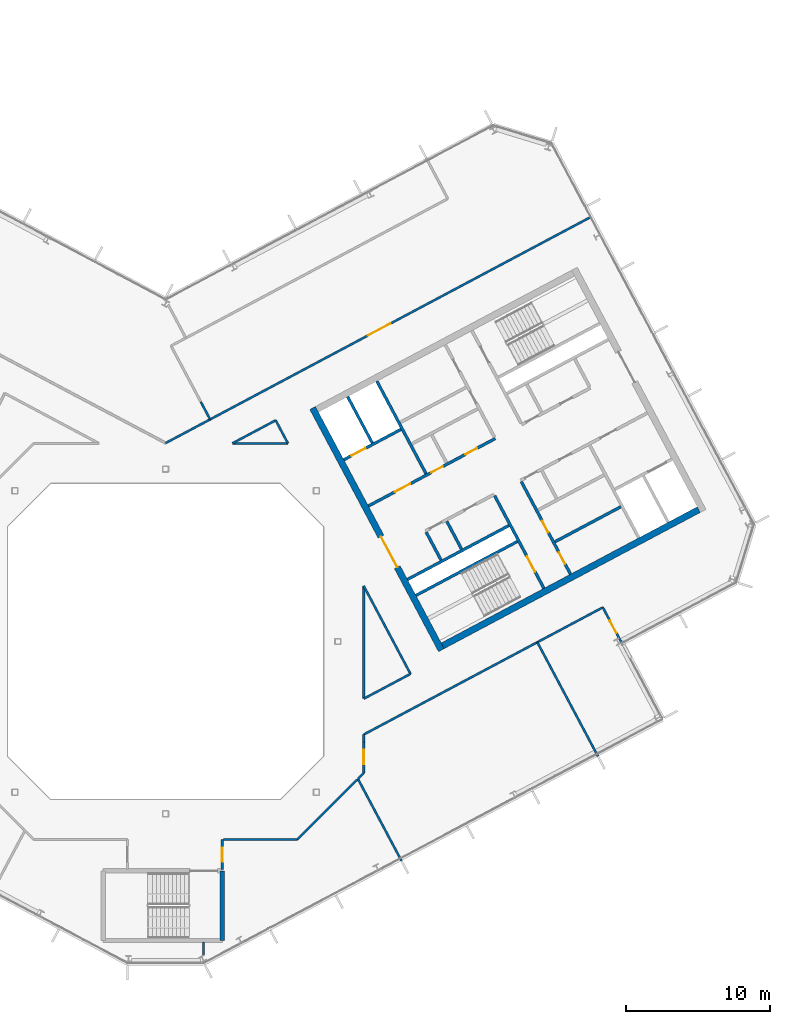
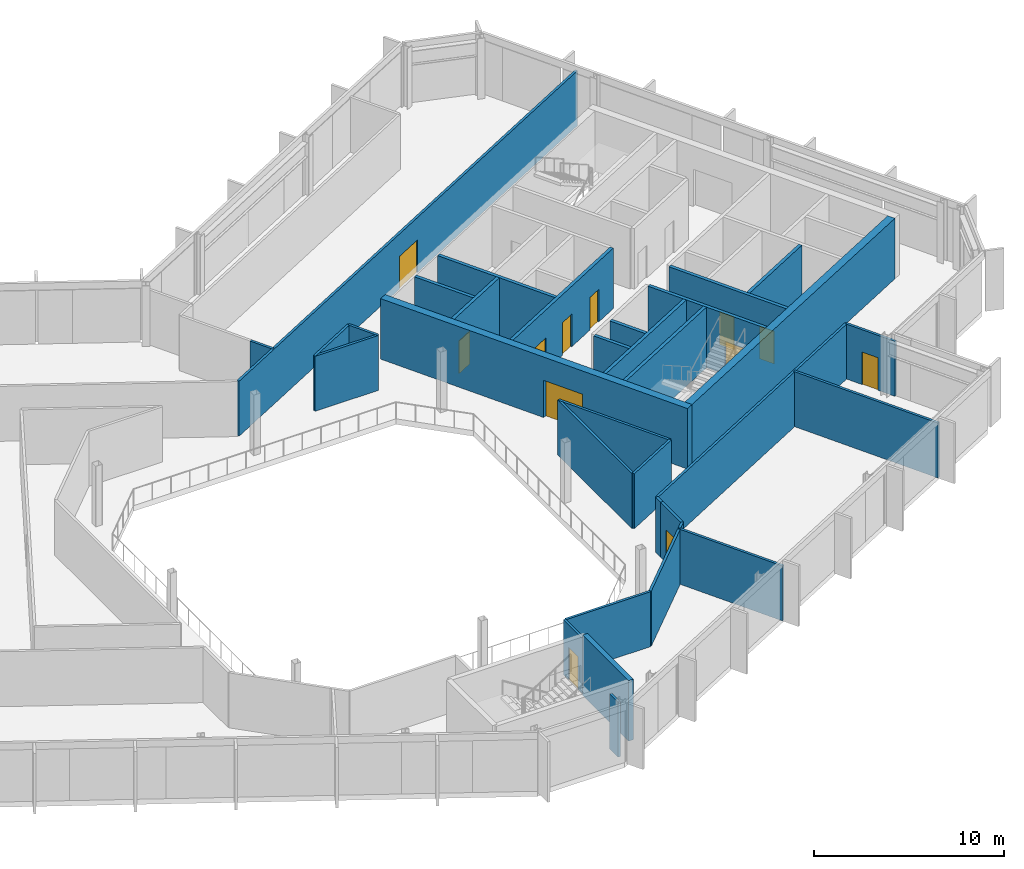
# One storey, part 15 of 25: 33 walls, 12 doors, 12 openings.
"""IFC4 building model written with IfcOpenShell, lengths in metres."""

import ifcopenshell
import ifcopenshell.guid

model = None  # the IFC model being written
_history = None  # IfcOwnerHistory: only IFC2X3 demands one
_inside = {}  # id of a spatial element -> (the spatial element, [elements in it])
_under = {}  # id of a project, library or spatial element -> (it, [spatial elements below it])
_declared = {}  # id of a project -> (the project, [libraries it declares])
_typed = {}  # id of a type object -> (the type object, [elements of that type])
_made_of = {}  # id of a material, layer set ... -> (it, [elements and type objects made of it])


def new_model(schema):
    """Start an empty IFC model of exactly this schema.

    Asked for "IFC4X3", IfcOpenShell would pick the latest addendum, in which some entities
    have other attributes; the version numbers below select the first issue.
    IFC2X3 requires an IfcOwnerHistory on every rooted entity: one is made here for all.
    """
    global model, _history
    if schema == "IFC4X3":
        model = ifcopenshell.file(schema_version=(4, 3, 0, 0))
    else:
        model = ifcopenshell.file(schema=schema)
    _inside.clear()
    _under.clear()
    _declared.clear()
    _typed.clear()
    _made_of.clear()
    _history = None
    if model.schema == "IFC2X3":
        org = make("IfcOrganization", Name="unknown")
        user = make(
            "IfcPersonAndOrganization",
            ThePerson=make("IfcPerson", FamilyName="unknown"),
            TheOrganization=org,
        )
        app = make(
            "IfcApplication",
            ApplicationDeveloper=org,
            Version="unknown",
            ApplicationFullName="unknown",
            ApplicationIdentifier="unknown",
        )
        _history = make(
            "IfcOwnerHistory",
            OwningUser=user,
            OwningApplication=app,
            ChangeAction="ADDED",
            CreationDate=0,
        )
    return model


def make(cls, **values):
    """One entity of the class cls with the attributes given. An attribute that is None is left unset."""
    return model.create_entity(
        cls, **{name: value for name, value in values.items() if value is not None}
    )


def rooted(cls, **values):
    """An entity with a GlobalId (a new one), such as an element, a storey or a relation."""
    return make(cls, GlobalId=ifcopenshell.guid.new(), OwnerHistory=_history, **values)


def si_unit(unit_type, name, prefix=None):
    """IfcSIUnit, for example si_unit("LENGTHUNIT", "METRE", prefix="MILLI")."""
    return make("IfcSIUnit", UnitType=unit_type, Prefix=prefix, Name=name)


def assignment(units):
    """IfcUnitAssignment: the units of a project."""
    return None if units is None else make("IfcUnitAssignment", Units=units)


def point(xyz):
    """IfcCartesianPoint."""
    return None if xyz is None else make("IfcCartesianPoint", Coordinates=xyz)


def direction(xyz):
    """IfcDirection."""
    return None if xyz is None else make("IfcDirection", DirectionRatios=xyz)


def frame(location, z_axis=None, x_axis=None):
    """IfcAxis2Placement3D, a coordinate frame: its origin and axes. An axis left out is left unset."""
    return make(
        "IfcAxis2Placement3D",
        Location=point(location),
        Axis=direction(z_axis),
        RefDirection=direction(x_axis),
    )


def frame_2d(location, x_axis=None):
    """IfcAxis2Placement2D, a coordinate frame in the plane: its origin and x axis."""
    return make(
        "IfcAxis2Placement2D", Location=point(location), RefDirection=direction(x_axis)
    )


def origin():
    """The frame at (0, 0, 0) with its axes left unset."""
    return frame((0.0, 0.0, 0.0))


def place(relative_to, where):
    """IfcLocalPlacement: puts the frame where relative to a parent placement (None: the world)."""
    return make(
        "IfcLocalPlacement", PlacementRelTo=relative_to, RelativePlacement=where
    )


def context(
    kind, dimensions, precision=None, world=None, true_north=None, identifier=None
):
    """IfcGeometricRepresentationContext, for example the 3D "Model" context."""
    return make(
        "IfcGeometricRepresentationContext",
        ContextIdentifier=identifier,
        ContextType=kind,
        CoordinateSpaceDimension=dimensions,
        Precision=precision,
        WorldCoordinateSystem=world,
        TrueNorth=true_north,
    )


def subcontext(parent, identifier, kind, view, scale=None):
    """IfcGeometricRepresentationSubContext, for example "Body" below "Model"."""
    return make(
        "IfcGeometricRepresentationSubContext",
        ContextIdentifier=identifier,
        ContextType=kind,
        ParentContext=parent,
        TargetScale=scale,
        TargetView=view,
    )


def project(units=None, contexts=None):
    """IfcProject with its units and contexts."""
    return rooted(
        "IfcProject",
        Name="project",
        RepresentationContexts=contexts,
        UnitsInContext=assignment(units),
    )


def spatial(cls, under=None, at=None, **own):
    """A site, building, storey or space (cls), placed at a placement, below another one or the project."""
    s = rooted(cls, ObjectPlacement=at, **own)
    if under is not None:
        _under.setdefault(under.id(), (under, []))[1].append(s)
    return s


def profile(cls, at=None, kind="AREA", **sizes):
    """A parametric profile (cls). Its sizes go by their IFC names, for example OverallWidth=200.0."""
    return make(cls, ProfileType=kind, Position=at, **sizes)


def rectangle(**sizes):
    """IfcRectangleProfileDef."""
    return profile("IfcRectangleProfileDef", **sizes)


def extrude(swept, where, along, depth):
    """IfcExtrudedAreaSolid: the profile swept, set in the frame where, extruded along a direction by depth."""
    return make(
        "IfcExtrudedAreaSolid",
        SweptArea=swept,
        Position=where,
        ExtrudedDirection=direction(along),
        Depth=depth,
    )


def shape(context_of_items, identifier, shape_type, items):
    """IfcShapeRepresentation: the items that make up one representation, for example the "Body"."""
    return make(
        "IfcShapeRepresentation",
        ContextOfItems=context_of_items,
        RepresentationIdentifier=identifier,
        RepresentationType=shape_type,
        Items=items,
    )


def material(Name=None, Category=None):
    """IfcMaterial."""
    return make("IfcMaterial", Name=Name, Category=Category)


def layer(
    of_material, thickness, ventilated=None, Name=None, Category=None, Priority=None
):
    """IfcMaterialLayer: one layer of a wall or slab, of a material (None: an air gap)."""
    return make(
        "IfcMaterialLayer",
        Material=of_material,
        LayerThickness=thickness,
        IsVentilated=ventilated,
        Name=Name,
        Category=Category,
        Priority=Priority,
    )


def layer_set(layers, Name=None):
    """IfcMaterialLayerSet."""
    return make("IfcMaterialLayerSet", MaterialLayers=layers, LayerSetName=Name)


def made_of(thing, what):
    """Note that an element or type object is made of a material, layer set ...; save() writes the relation."""
    if what is not None:
        _made_of.setdefault(what.id(), (what, []))[1].append(thing)
    return thing


def type_object(cls, material=None, **own):
    """A type object (cls), such as IfcWallType, which elements share."""
    return made_of(rooted(cls, **own), material)


def element(
    cls,
    number,
    at=None,
    inside=None,
    cuts=None,
    type_object=None,
    material=None,
    context=None,
    identifier="Body",
    shape_type=None,
    held_by="IfcProductDefinitionShape",
    body=None,
    shapes=None,
    **own,
):
    """One element of the class cls, such as IfcWall. Its Tag is "e" and its number.

    at: its placement. inside: the storey or other place that contains it. cuts: it is an
    opening in that element (IfcRelVoidsElement). A single representation is given by context,
    identifier, shape_type and body (its items); several are given by shapes. held_by: the class
    of the entity that holds the representations. save() writes the other relations.
    """
    e = rooted(cls, Tag="e%d" % number, ObjectPlacement=at, **own)
    if body is not None:
        shapes = [shape(context, identifier, shape_type, body)]
    if shapes is not None:
        e.Representation = make(held_by, Representations=shapes)
    if inside is not None:
        _inside.setdefault(inside.id(), (inside, []))[1].append(e)
    if cuts is not None:
        rooted(
            "IfcRelVoidsElement", RelatingBuildingElement=cuts, RelatedOpeningElement=e
        )
    if type_object is not None:
        _typed.setdefault(type_object.id(), (type_object, []))[1].append(e)
    return made_of(e, material)


def fill(opening, filler):
    """IfcRelFillsElement: the door or window that sits in an opening."""
    return rooted(
        "IfcRelFillsElement",
        RelatingOpeningElement=opening,
        RelatedBuildingElement=filler,
    )


def aggregate(whole, parts):
    """IfcRelAggregates: a whole, such as a stair, and the parts it consists of."""
    return rooted("IfcRelAggregates", RelatingObject=whole, RelatedObjects=parts)


def save(model, path):
    """Write the relations noted so far, then the file.

    IfcRelAggregates (storeys below a building ...), IfcRelContainedInSpatialStructure (elements
    in a storey), IfcRelDefinesByType, IfcRelAssociatesMaterial and IfcRelDeclares: one each for
    every whole, place, type object, material and project.
    """
    for whole, parts in _under.values():
        aggregate(whole, parts)
    for where, things in _inside.values():
        rooted(
            "IfcRelContainedInSpatialStructure",
            RelatedElements=things,
            RelatingStructure=where,
        )
    for kind, things in _typed.values():
        rooted("IfcRelDefinesByType", RelatedObjects=things, RelatingType=kind)
    for what, things in _made_of.values():
        rooted("IfcRelAssociatesMaterial", RelatedObjects=things, RelatingMaterial=what)
    for by, libraries in _declared.values():
        rooted("IfcRelDeclares", RelatingContext=by, RelatedDefinitions=libraries)
    model.write(path)


model = new_model("IFC4")

# Units and contexts
model_context = context("Model", 3, precision=1e-05, world=origin(), true_north=direction((0.0, 1.0)))
body_context = subcontext(model_context, "Body", "Model", "MODEL_VIEW")
ifc_project = project(units=[si_unit("LENGTHUNIT", "METRE"), si_unit("AREAUNIT", "SQUARE_METRE"), si_unit("VOLUMEUNIT", "CUBIC_METRE"), si_unit("PLANEANGLEUNIT", "RADIAN"), si_unit("MASSUNIT", "GRAM", prefix="KILO")], contexts=[model_context])

# Site, building, storey
site_placement = place(None, origin())
site = spatial("IfcSite", under=ifc_project, at=site_placement, CompositionType="ELEMENT")
building_placement = place(site_placement, origin())
building = spatial("IfcBuilding", under=site, at=building_placement, Name="Cormorant Relay Tower", CompositionType="ELEMENT")
storey_placement = place(building_placement, frame((0.0, 0.0, 281.39990234375)))
storey = spatial("IfcBuildingStorey", under=building, at=storey_placement, Name="L63", CompositionType="ELEMENT", Elevation=281.39990234375)

# Walls
ifc_material_1 = material(Name="Concrete 40 MPa", Category="concrete")
ifc_layer_1 = layer(ifc_material_1, 0.199951171875)
ifc_layer_set_1 = layer_set([ifc_layer_1], Name="Core internal wall 200")
wall_type_1 = type_object("IfcWallType", Name="Core internal wall 200", PredefinedType="SOLIDWALL", material=ifc_layer_set_1)
wall_1_placement = place(storey_placement, frame((20.614013671875, 6.430419921875, 0.0), z_axis=(0.0, 0.0, 1.0), x_axis=(-0.4694473164, 0.882960484464, 0.0)))
element("IfcWall", 1, at=wall_1_placement, inside=storey, type_object=wall_type_1, Name="L63 core B shaft and room wall", PredefinedType="SOLIDWALL", context=body_context, shape_type="SweptSolid", body=[
    extrude(rectangle(XDim=2.199951171875, YDim=0.199951171875, at=frame_2d((1.10009765625, 0.0))), origin(), (0.0, 0.0, 1.0), 3.900146484375),
])
wall_2_placement = place(storey_placement, frame((27.11474609375, 6.942138671875, 0.0), z_axis=(0.0, 0.0, 1.0), x_axis=(0.882934506056, 0.469496174655, 0.0)))
element("IfcWall", 2, at=wall_2_placement, inside=storey, type_object=wall_type_1, Name="L63 core B shaft and room wall", PredefinedType="SOLIDWALL", context=body_context, shape_type="SweptSolid", body=[
    extrude(rectangle(XDim=5.199951171875, YDim=0.199951171875, at=frame_2d((2.60009765625, 0.0))), origin(), (0.0, 0.0, 1.0), 3.900146484375),
])
ifc_material_2 = material(Name="Concrete 50 MPa", Category="concrete")
ifc_layer_2 = layer(ifc_material_2, 0.199951171875)
ifc_layer_set_2 = layer_set([ifc_layer_2], Name="Core shaft wall 200")
wall_type_2 = type_object("IfcWallType", Name="Core shaft wall 200", PredefinedType="SHEAR", material=ifc_layer_set_2)
wall_3_placement = place(storey_placement, frame((14.39404296875, 13.825927734375, 0.0), z_axis=(0.0, 0.0, 1.0), x_axis=(-0.469494272526, 0.882935517501, 0.0)))
element("IfcWall", 3, at=wall_3_placement, inside=storey, type_object=wall_type_2, Name="L63 core B shaft wall", PredefinedType="SHEAR", context=body_context, shape_type="SweptSolid", body=[
    extrude(rectangle(XDim=3.64990234375, YDim=0.199951171875, at=frame_2d((1.824951171875, 0.0))), origin(), (0.0, 0.0, 1.0), 3.900146484375),
])
wall_4_placement = place(storey_placement, frame((19.18359375, 5.669921875, 0.0), z_axis=(0.0, 0.0, 1.0), x_axis=(-0.4694473164, 0.882960484464, 0.0)))
element("IfcWall", 4, at=wall_4_placement, inside=storey, type_object=wall_type_2, Name="L63 core B shaft wall", PredefinedType="SHEAR", context=body_context, shape_type="SweptSolid", body=[
    extrude(rectangle(XDim=2.199951171875, YDim=0.199951171875, at=frame_2d((1.10009765625, 0.0))), origin(), (0.0, 0.0, 1.0), 3.900146484375),
])
wall_5_placement = place(storey_placement, frame((18.138427734375, 11.682861328125, 0.0), z_axis=(0.0, 0.0, 1.0), x_axis=(-0.469480409012, 0.88294288918, 0.0)))
element("IfcWall", 5, at=wall_5_placement, inside=storey, type_object=wall_type_2, Name="L63 core B shaft wall", PredefinedType="SHEAR", context=body_context, shape_type="SweptSolid", body=[
    extrude(rectangle(XDim=7.300048828125, YDim=0.199951171875, at=frame_2d((3.64990234375, 0.0))), origin(), (0.0, 0.0, 1.0), 3.900146484375),
])

# Wall, opening, door
wall_6_placement = place(storey_placement, frame((26.345947265625, 3.701904296875, 0.0), z_axis=(0.0, 0.0, 1.0), x_axis=(-0.469480409012, 0.88294288918, 0.0)))
wall_6 = element("IfcWall", 6, at=wall_6_placement, inside=storey, type_object=wall_type_2, Name="L63 core B shaft wall", PredefinedType="SHEAR", context=body_context, shape_type="SweptSolid", body=[
    extrude(rectangle(XDim=7.300048828125, YDim=0.199951171875, at=frame_2d((3.64990234375, 0.0))), origin(), (0.0, 0.0, 1.0), 3.900146484375),
])
opening_1_placement = place(wall_6_placement, frame((1.300048828125, 0.0, 0.0)))
opening_1 = element("IfcOpeningElement", 7, at=opening_1_placement, cuts=wall_6, Name="Opening CDB-040", PredefinedType="OPENING", context=body_context, shape_type="SweptSolid", body=[
    extrude(rectangle(XDim=1.199951171875, YDim=2.10009765625, at=frame_2d((0.60009765625, 1.050048828125))), frame((0.0, 0.10986328125, 0.0), z_axis=(0.0, -1.0, 0.0), x_axis=(1.0, 0.0, 0.0)), (0.0, 0.0, 1.0), 0.219970703125),
])
ifc_material_3 = material(Name="Steel fire door", Category="steel")
door_type_1 = type_object("IfcDoorType", Name="Core stair door 1200x2100", OperationType="SINGLE_SWING_LEFT", PredefinedType="DOOR", material=ifc_material_3)
door_1_placement = place(opening_1_placement, origin())
door_1 = element("IfcDoor", 8, at=door_1_placement, inside=storey, type_object=door_type_1, Name="Core stair door 1200x2100", OperationType="SINGLE_SWING_RIGHT", OverallHeight=2.10009765625, OverallWidth=1.199951171875, PredefinedType="DOOR", context=body_context, shape_type="SweptSolid", body=[
    extrude(rectangle(XDim=1.199951171875, YDim=2.10009765625, at=frame_2d((0.60009765625, 1.050048828125))), frame((0.0, 0.02490234375, 0.0), z_axis=(0.0, -1.0, 0.0), x_axis=(1.0, 0.0, 0.0)), (0.0, 0.0, 1.0), 0.050048828125),
])
fill(opening_1, door_1)

# Wall, openings, doors
wall_7_placement = place(storey_placement, frame((28.199951171875, 4.687744140625, 0.0), z_axis=(0.0, 0.0, 1.0), x_axis=(-0.469454336211, 0.882956752176, 0.0)))
wall_7 = element("IfcWall", 9, at=wall_7_placement, inside=storey, type_object=wall_type_2, Name="L63 core B shaft wall", PredefinedType="SHEAR", context=body_context, shape_type="SweptSolid", body=[
    extrude(rectangle(XDim=7.300048828125, YDim=0.199951171875, at=frame_2d((3.64990234375, 0.0))), origin(), (0.0, 0.0, 1.0), 3.900146484375),
])
opening_2_placement = place(wall_7_placement, frame((0.800048828125, 0.0, 0.0)))
opening_2 = element("IfcOpeningElement", 10, at=opening_2_placement, cuts=wall_7, Name="Opening CDD-286", PredefinedType="OPENING", context=body_context, shape_type="SweptSolid", body=[
    extrude(rectangle(XDim=0.89990234375, YDim=2.10009765625, at=frame_2d((0.449951171875, 1.050048828125))), frame((0.0, 0.10986328125, 0.0), z_axis=(0.0, -1.0, 0.0), x_axis=(1.0, 0.0, 0.0)), (0.0, 0.0, 1.0), 0.219970703125),
])
opening_3_placement = place(wall_7_placement, frame((3.300048828125, 0.0, 0.0)))
opening_3 = element("IfcOpeningElement", 11, at=opening_3_placement, cuts=wall_7, Name="Opening CDD-287", PredefinedType="OPENING", context=body_context, shape_type="SweptSolid", body=[
    extrude(rectangle(XDim=0.89990234375, YDim=2.10009765625, at=frame_2d((0.449951171875, 1.050048828125))), frame((0.0, 0.10986328125, 0.0), z_axis=(0.0, -1.0, 0.0), x_axis=(1.0, 0.0, 0.0)), (0.0, 0.0, 1.0), 0.219970703125),
])
ifc_material_4 = material(Name="Steel fire door", Category="steel")
door_type_2 = type_object("IfcDoorType", Name="Core room door 900x2100", OperationType="SINGLE_SWING_LEFT", PredefinedType="DOOR", material=ifc_material_4)
door_2_placement = place(opening_2_placement, frame((0.89990234375, 0.0, 0.0), z_axis=(0.0, 0.0, 1.0), x_axis=(-1.0, 0.0, 0.0)))
door_2 = element("IfcDoor", 12, at=door_2_placement, inside=storey, type_object=door_type_2, Name="Core room door 900x2100", OperationType="SINGLE_SWING_LEFT", OverallHeight=2.10009765625, OverallWidth=0.89990234375, PredefinedType="DOOR", context=body_context, shape_type="SweptSolid", body=[
    extrude(rectangle(XDim=0.89990234375, YDim=2.10009765625, at=frame_2d((0.449951171875, 1.050048828125))), frame((0.0, 0.02490234375, 0.0), z_axis=(0.0, -1.0, 0.0), x_axis=(1.0, 0.0, 0.0)), (0.0, 0.0, 1.0), 0.050048828125),
])
fill(opening_2, door_2)
door_3_placement = place(opening_3_placement, frame((0.89990234375, 0.0, 0.0), z_axis=(0.0, 0.0, 1.0), x_axis=(-1.0, 0.0, 0.0)))
door_3 = element("IfcDoor", 13, at=door_3_placement, inside=storey, type_object=door_type_2, Name="Core room door 900x2100", OperationType="SINGLE_SWING_LEFT", OverallHeight=2.10009765625, OverallWidth=0.89990234375, PredefinedType="DOOR", context=body_context, shape_type="SweptSolid", body=[
    extrude(rectangle(XDim=0.89990234375, YDim=2.10009765625, at=frame_2d((0.449951171875, 1.050048828125))), frame((0.0, 0.02490234375, 0.0), z_axis=(0.0, -1.0, 0.0), x_axis=(1.0, 0.0, 0.0)), (0.0, 0.0, 1.0), 0.050048828125),
])
fill(opening_3, door_3)

# Walls
for number, where, z_axis, x_axis, name in (
    (14, (17.43359375, 3.210205078125, 0.0), (0.0, 0.0, 1.0), (0.882940221191, 0.469485426614, 0.0), "L63 core B shaft wall"),
    (15, (16.8466796875, 4.31396484375, 0.0), (0.0, 0.0, 1.0), (0.882940221191, 0.469485426614, 0.0), "L63 core B shaft wall"),
):
    element("IfcWall", number, at=place(storey_placement, frame(where, z_axis=z_axis, x_axis=x_axis)), inside=storey, type_object=wall_type_2, Name=name, PredefinedType="SHEAR", context=body_context, shape_type="SweptSolid", body=[
        extrude(rectangle(XDim=8.0, YDim=0.199951171875, at=frame_2d((4.0, 0.0))), origin(), (0.0, 0.0, 1.0), 3.900146484375),
    ])

# Wall, openings, doors
wall_8_placement = place(storey_placement, frame((14.123779296875, 9.43505859375, 0.0), z_axis=(0.0, 0.0, 1.0), x_axis=(0.882940221191, 0.469485426614, 0.0)))
wall_8 = element("IfcWall", 16, at=wall_8_placement, inside=storey, type_object=wall_type_2, Name="L63 core B shaft wall", PredefinedType="SHEAR", context=body_context, shape_type="SweptSolid", body=[
    extrude(rectangle(XDim=10.0, YDim=0.199951171875, at=frame_2d((5.0, 0.0))), origin(), (0.0, 0.0, 1.0), 3.900146484375),
])
opening_4_placement = place(wall_8_placement, frame((2.10009765625, 0.0, 0.0)))
opening_4 = element("IfcOpeningElement", 17, at=opening_4_placement, cuts=wall_8, Name="Opening CDC-037", PredefinedType="OPENING", context=body_context, shape_type="SweptSolid", body=[
    extrude(rectangle(XDim=1.199951171875, YDim=2.10009765625, at=frame_2d((0.60009765625, 1.050048828125))), frame((0.0, 0.10986328125, 0.0), z_axis=(0.0, -1.0, 0.0), x_axis=(1.0, 0.0, 0.0)), (0.0, 0.0, 1.0), 0.219970703125),
])
opening_5_placement = place(wall_8_placement, frame((4.9599609375, 0.0, 0.0)))
opening_5 = element("IfcOpeningElement", 18, at=opening_5_placement, cuts=wall_8, Name="Opening CDD-241", PredefinedType="OPENING", context=body_context, shape_type="SweptSolid", body=[
    extrude(rectangle(XDim=0.89990234375, YDim=2.10009765625, at=frame_2d((0.449951171875, 1.050048828125))), frame((0.0, 0.10986328125, 0.0), z_axis=(0.0, -1.0, 0.0), x_axis=(1.0, 0.0, 0.0)), (0.0, 0.0, 1.0), 0.219970703125),
])
opening_6_placement = place(wall_8_placement, frame((7.659912109375, 0.0, 0.0)))
opening_6 = element("IfcOpeningElement", 19, at=opening_6_placement, cuts=wall_8, Name="Opening CDD-242", PredefinedType="OPENING", context=body_context, shape_type="SweptSolid", body=[
    extrude(rectangle(XDim=0.89990234375, YDim=2.10009765625, at=frame_2d((0.449951171875, 1.050048828125))), frame((0.0, 0.10986328125, 0.0), z_axis=(0.0, -1.0, 0.0), x_axis=(1.0, 0.0, 0.0)), (0.0, 0.0, 1.0), 0.219970703125),
])
ifc_material_5 = material(Name="Steel fire door", Category="steel")
door_type_3 = type_object("IfcDoorType", Name="Core lobby door 1200x2100", OperationType="SINGLE_SWING_LEFT", PredefinedType="DOOR", material=ifc_material_5)
door_4_placement = place(opening_4_placement, origin())
door_4 = element("IfcDoor", 20, at=door_4_placement, inside=storey, type_object=door_type_3, Name="Core lobby door 1200x2100", OperationType="SINGLE_SWING_RIGHT", OverallHeight=2.10009765625, OverallWidth=1.199951171875, PredefinedType="DOOR", context=body_context, shape_type="SweptSolid", body=[
    extrude(rectangle(XDim=1.199951171875, YDim=2.10009765625, at=frame_2d((0.60009765625, 1.050048828125))), frame((0.0, 0.02490234375, 0.0), z_axis=(0.0, -1.0, 0.0), x_axis=(1.0, 0.0, 0.0)), (0.0, 0.0, 1.0), 0.050048828125),
])
fill(opening_4, door_4)
door_5_placement = place(opening_5_placement, frame((0.89990234375, 0.0, 0.0), z_axis=(0.0, 0.0, 1.0), x_axis=(-1.0, 0.0, 0.0)))
door_5 = element("IfcDoor", 21, at=door_5_placement, inside=storey, type_object=door_type_2, Name="Core room door 900x2100", OperationType="SINGLE_SWING_RIGHT", OverallHeight=2.10009765625, OverallWidth=0.89990234375, PredefinedType="DOOR", context=body_context, shape_type="SweptSolid", body=[
    extrude(rectangle(XDim=0.89990234375, YDim=2.10009765625, at=frame_2d((0.449951171875, 1.050048828125))), frame((0.0, 0.02490234375, 0.0), z_axis=(0.0, -1.0, 0.0), x_axis=(1.0, 0.0, 0.0)), (0.0, 0.0, 1.0), 0.050048828125),
])
fill(opening_5, door_5)
door_6_placement = place(opening_6_placement, frame((0.89990234375, 0.0, 0.0), z_axis=(0.0, 0.0, 1.0), x_axis=(-1.0, 0.0, 0.0)))
door_6 = element("IfcDoor", 22, at=door_6_placement, inside=storey, type_object=door_type_2, Name="Core room door 900x2100", OperationType="SINGLE_SWING_RIGHT", OverallHeight=2.10009765625, OverallWidth=0.89990234375, PredefinedType="DOOR", context=body_context, shape_type="SweptSolid", body=[
    extrude(rectangle(XDim=0.89990234375, YDim=2.10009765625, at=frame_2d((0.449951171875, 1.050048828125))), frame((0.0, 0.02490234375, 0.0), z_axis=(0.0, -1.0, 0.0), x_axis=(1.0, 0.0, 0.0)), (0.0, 0.0, 1.0), 0.050048828125),
])
fill(opening_6, door_6)

# Wall, opening, door
wall_9_placement = place(storey_placement, frame((12.41015625, 12.657958984375, 0.0), z_axis=(0.0, 0.0, 1.0), x_axis=(0.8829484765, 0.469469900894, 0.0)))
wall_9 = element("IfcWall", 23, at=wall_9_placement, inside=storey, type_object=wall_type_2, Name="L63 core B shaft wall", PredefinedType="SHEAR", context=body_context, shape_type="SweptSolid", body=[
    extrude(rectangle(XDim=4.499755859375, YDim=0.199951171875, at=frame_2d((2.25, 0.0))), origin(), (0.0, 0.0, 1.0), 3.900146484375),
])
opening_7_placement = place(wall_9_placement, frame((0.60009765625, 0.0, 0.0)))
opening_7 = element("IfcOpeningElement", 24, at=opening_7_placement, cuts=wall_9, Name="Opening LD1-064", PredefinedType="OPENING", context=body_context, shape_type="SweptSolid", body=[
    extrude(rectangle(XDim=1.10009765625, YDim=2.10009765625, at=frame_2d((0.550048828125, 1.050048828125))), frame((0.0, 0.10986328125, 0.0), z_axis=(0.0, -1.0, 0.0), x_axis=(1.0, 0.0, 0.0)), (0.0, 0.0, 1.0), 0.219970703125),
])
ifc_material_6 = material(Name="Stainless steel 316", Category="steel")
door_type_4 = type_object("IfcDoorType", Name="Lift landing door 1100x2100", OperationType="DOUBLE_DOOR_SLIDING", PredefinedType="DOOR", material=ifc_material_6)
door_7_placement = place(opening_7_placement, origin())
door_7 = element("IfcDoor", 25, at=door_7_placement, inside=storey, type_object=door_type_4, Name="FF2 landing door", OperationType="DOUBLE_DOOR_SLIDING", OverallHeight=2.10009765625, OverallWidth=1.10009765625, PredefinedType="DOOR", context=body_context, shape_type="SweptSolid", body=[
    extrude(rectangle(XDim=1.10009765625, YDim=2.10009765625, at=frame_2d((0.550048828125, 1.050048828125))), frame((0.0, 0.02490234375, 0.0), z_axis=(0.0, -1.0, 0.0), x_axis=(1.0, 0.0, 0.0)), (0.0, 0.0, 1.0), 0.050048828125),
])
fill(opening_7, door_7)

ifc_material_7 = material(Name="Concrete 50 MPa", Category="concrete")
ifc_layer_3 = layer(ifc_material_7, 0.449951171875)
ifc_layer_set_3 = layer_set([ifc_layer_3], Name="Core wall 450")
wall_type_3 = type_object("IfcWallType", Name="Core wall 450", PredefinedType="SHEAR", material=ifc_layer_set_3)
wall_10_placement = place(storey_placement, frame((19.20654296875, -0.603759765625, 0.0), z_axis=(0.0, 0.0, 1.0), x_axis=(-0.469467968382, 0.882949504028, 0.0)))
wall_10 = element("IfcWall", 26, at=wall_10_placement, inside=storey, type_object=wall_type_3, Name="L63 core B wall", PredefinedType="SHEAR", context=body_context, shape_type="SweptSolid", body=[
    extrude(rectangle(XDim=19.099853515625, YDim=0.449951171875, at=frame_2d((9.5498046875, 0.0))), origin(), (0.0, 0.0, 1.0), 3.900146484375),
])
opening_8_placement = place(wall_10_placement, frame((6.550048828125, 0.0, 0.0)))
opening_8 = element("IfcOpeningElement", 27, at=opening_8_placement, cuts=wall_10, Name="Opening CDA-052", PredefinedType="OPENING", context=body_context, shape_type="SweptSolid", body=[
    extrude(rectangle(XDim=2.39990234375, YDim=2.39990234375, at=frame_2d((1.199951171875, 1.199951171875))), frame((0.0, 0.23486328125, 0.0), z_axis=(0.0, -1.0, 0.0), x_axis=(1.0, 0.0, 0.0)), (0.0, 0.0, 1.0), 0.469970703125),
])
ifc_material_8 = material(Name="Steel fire door", Category="steel")
door_type_5 = type_object("IfcDoorType", Name="Core lobby door 2400x2400", OperationType="DOUBLE_DOOR_SINGLE_SWING", PredefinedType="DOOR", material=ifc_material_8)
door_8_placement = place(opening_8_placement, frame((2.39990234375, 0.0, 0.0), z_axis=(0.0, 0.0, 1.0), x_axis=(-1.0, 0.0, 0.0)))
door_8 = element("IfcDoor", 28, at=door_8_placement, inside=storey, type_object=door_type_5, Name="Core lobby door 2400x2400", OperationType="DOUBLE_DOOR_SINGLE_SWING", OverallHeight=2.39990234375, OverallWidth=2.39990234375, PredefinedType="DOOR", context=body_context, shape_type="SweptSolid", body=[
    extrude(rectangle(XDim=2.39990234375, YDim=2.39990234375, at=frame_2d((1.199951171875, 1.199951171875))), frame((0.0, 0.02490234375, 0.0), z_axis=(0.0, -1.0, 0.0), x_axis=(1.0, 0.0, 0.0)), (0.0, 0.0, 1.0), 0.050048828125),
])
fill(opening_8, door_8)

# Wall
wall_11_placement = place(storey_placement, frame((19.299560546875, -0.29931640625, 0.0), z_axis=(0.0, 0.0, 1.0), x_axis=(0.88295276571, 0.46946183394, 0.0)))
element("IfcWall", 29, at=wall_11_placement, inside=storey, type_object=wall_type_3, Name="L63 core B wall", PredefinedType="SHEAR", context=body_context, shape_type="SweptSolid", body=[
    extrude(rectangle(XDim=20.199951171875, YDim=0.449951171875, at=frame_2d((10.10009765625, 0.0))), origin(), (0.0, 0.0, 1.0), 3.900146484375),
])

# Wall, opening, door
ifc_material_9 = material(Name="Gypsum board fire partition")
ifc_layer_4 = layer(ifc_material_9, 0.14990234375)
ifc_layer_set_4 = layer_set([ifc_layer_4], Name="Corridor partition 150 EI 60")
wall_type_4 = type_object("IfcWallType", Name="Corridor partition 150 EI 60", PredefinedType="PARTITIONING", material=ifc_layer_set_4)
wall_12_placement = place(storey_placement, frame((0.0, 13.81689453125, 0.0), z_axis=(0.0, 0.0, 1.0), x_axis=(0.882939200239, 0.469487346668, 0.0)))
wall_12 = element("IfcWall", 30, at=wall_12_placement, inside=storey, type_object=wall_type_4, Name="wall/L63/part/009", PredefinedType="PARTITIONING", context=body_context, shape_type="SweptSolid", body=[
    extrude(rectangle(XDim=33.713623046875, YDim=0.14990234375, at=frame_2d((16.85693359375, 0.0))), origin(), (0.0, 0.0, 1.0), 3.5400390625),
])
opening_9_placement = place(wall_12_placement, frame((15.949951171875, 0.0, 0.0)))
opening_9 = element("IfcOpeningElement", 31, at=opening_9_placement, cuts=wall_12, Name="Opening DD-038", PredefinedType="OPENING", context=body_context, shape_type="SweptSolid", body=[
    extrude(rectangle(XDim=1.800048828125, YDim=2.10009765625, at=frame_2d((0.89990234375, 1.050048828125))), frame((0.0, 0.0849609375, 0.0), z_axis=(0.0, -1.0, 0.0), x_axis=(1.0, 0.0, 0.0)), (0.0, 0.0, 1.0), 0.169921875),
])
ifc_material_10 = material(Name="Timber door leaf", Category="wood")
door_type_6 = type_object("IfcDoorType", Name="Suite double door 1800x2100", OperationType="DOUBLE_DOOR_SINGLE_SWING", PredefinedType="DOOR", material=ifc_material_10)
door_9_placement = place(opening_9_placement, origin())
door_9 = element("IfcDoor", 32, at=door_9_placement, inside=storey, type_object=door_type_6, Name="door/L63/012", OperationType="DOUBLE_DOOR_SINGLE_SWING", OverallHeight=2.10009765625, OverallWidth=1.800048828125, PredefinedType="DOOR", context=body_context, shape_type="SweptSolid", body=[
    extrude(rectangle(XDim=1.800048828125, YDim=2.10009765625, at=frame_2d((0.89990234375, 1.050048828125))), frame((0.0, 0.02490234375, 0.0), z_axis=(0.0, -1.0, 0.0), x_axis=(1.0, 0.0, 0.0)), (0.0, 0.0, 1.0), 0.050048828125),
])
fill(opening_9, door_9)

wall_13_placement = place(storey_placement, frame((3.949951171875, -13.800048828125, 0.0), z_axis=(0.0, 0.0, 1.0), x_axis=(0.0, -1.0, 0.0)))
wall_13 = element("IfcWall", 33, at=wall_13_placement, inside=storey, type_object=wall_type_4, Name="wall/L63/part/033", PredefinedType="PARTITIONING", context=body_context, shape_type="SweptSolid", body=[
    extrude(rectangle(XDim=2.074951171875, YDim=0.14990234375, at=frame_2d((1.03759765625, 0.0))), origin(), (0.0, 0.0, 1.0), 3.5400390625),
])
opening_10_placement = place(wall_13_placement, frame((0.550048828125, 0.0, 0.0)))
opening_10 = element("IfcOpeningElement", 34, at=opening_10_placement, cuts=wall_13, Name="Opening DS-107", PredefinedType="OPENING", context=body_context, shape_type="SweptSolid", body=[
    extrude(rectangle(XDim=1.0, YDim=2.10009765625, at=frame_2d((0.5, 1.050048828125))), frame((0.0, 0.0849609375, 0.0), z_axis=(0.0, -1.0, 0.0), x_axis=(1.0, 0.0, 0.0)), (0.0, 0.0, 1.0), 0.169921875),
])
ifc_material_11 = material(Name="Timber door leaf", Category="wood")
door_type_7 = type_object("IfcDoorType", Name="Suite door 1000x2100", OperationType="SINGLE_SWING_LEFT", PredefinedType="DOOR", material=ifc_material_11)
door_10_placement = place(opening_10_placement, origin())
door_10 = element("IfcDoor", 35, at=door_10_placement, inside=storey, type_object=door_type_7, Name="door/L63/005", OperationType="SINGLE_SWING_LEFT", OverallHeight=2.10009765625, OverallWidth=1.0, PredefinedType="DOOR", context=body_context, shape_type="SweptSolid", body=[
    extrude(rectangle(XDim=1.0, YDim=2.10009765625, at=frame_2d((0.5, 1.050048828125))), frame((0.0, 0.02490234375, 0.0), z_axis=(0.0, -1.0, 0.0), x_axis=(1.0, 0.0, 0.0)), (0.0, 0.0, 1.0), 0.050048828125),
])
fill(opening_10, door_10)

# Walls
wall_14_placement = place(storey_placement, frame((13.3310546875, -9.62890625, 0.0), z_axis=(0.0, 0.0, 1.0), x_axis=(-0.707106781187, -0.707106781187, 0.0)))
element("IfcWall", 36, at=wall_14_placement, inside=storey, type_object=wall_type_4, Name="wall/L63/part/034", PredefinedType="PARTITIONING", context=body_context, shape_type="SweptSolid", body=[
    extrude(rectangle(XDim=5.89892578125, YDim=0.14990234375, at=frame_2d((2.949462890625, 0.0))), origin(), (0.0, 0.0, 1.0), 3.5400390625),
])
wall_15_placement = place(storey_placement, frame((9.159912109375, -13.800048828125, 0.0), z_axis=(0.0, 0.0, 1.0), x_axis=(-1.0, 0.0, 0.0)))
element("IfcWall", 37, at=wall_15_placement, inside=storey, type_object=wall_type_4, Name="wall/L63/part/035", PredefinedType="PARTITIONING", context=body_context, shape_type="SweptSolid", body=[
    extrude(rectangle(XDim=5.135009765625, YDim=0.14990234375, at=frame_2d((2.5673828125, 0.0))), origin(), (0.0, 0.0, 1.0), 3.5400390625),
])

# Wall, opening, door
wall_16_placement = place(storey_placement, frame((13.800048828125, -7.006103515625, 0.0), z_axis=(0.0, 0.0, 1.0), x_axis=(0.0, -1.0, 0.0)))
wall_16 = element("IfcWall", 38, at=wall_16_placement, inside=storey, type_object=wall_type_4, Name="wall/L63/part/037", PredefinedType="PARTITIONING", context=body_context, shape_type="SweptSolid", body=[
    extrude(rectangle(XDim=2.15380859375, YDim=0.14990234375, at=frame_2d((1.076904296875, 0.0))), origin(), (0.0, 0.0, 1.0), 3.5400390625),
])
opening_11_placement = place(wall_16_placement, frame((0.550048828125, 0.0, 0.0)))
opening_11 = element("IfcOpeningElement", 39, at=opening_11_placement, cuts=wall_16, Name="Opening DS-213", PredefinedType="OPENING", context=body_context, shape_type="SweptSolid", body=[
    extrude(rectangle(XDim=1.0, YDim=2.10009765625, at=frame_2d((0.5, 1.050048828125))), frame((0.0, 0.0849609375, 0.0), z_axis=(0.0, -1.0, 0.0), x_axis=(1.0, 0.0, 0.0)), (0.0, 0.0, 1.0), 0.169921875),
])
door_11_placement = place(opening_11_placement, origin())
door_11 = element("IfcDoor", 40, at=door_11_placement, inside=storey, type_object=door_type_7, Name="door/L63/006", OperationType="SINGLE_SWING_LEFT", OverallHeight=2.10009765625, OverallWidth=1.0, PredefinedType="DOOR", context=body_context, shape_type="SweptSolid", body=[
    extrude(rectangle(XDim=1.0, YDim=2.10009765625, at=frame_2d((0.5, 1.050048828125))), frame((0.0, 0.02490234375, 0.0), z_axis=(0.0, -1.0, 0.0), x_axis=(1.0, 0.0, 0.0)), (0.0, 0.0, 1.0), 0.050048828125),
])
fill(opening_11, door_11)

# Walls
wall_17_placement = place(storey_placement, frame((13.39501953125, -9.56494140625, 0.0), z_axis=(0.0, 0.0, 1.0), x_axis=(0.706254846232, 0.707957690949, 0.0)))
element("IfcWall", 41, at=wall_17_placement, inside=storey, type_object=wall_type_4, Name="wall/L63/part/038", PredefinedType="PARTITIONING", context=body_context, shape_type="SweptSolid", body=[
    extrude(rectangle(XDim=0.573486328125, YDim=0.14990234375, at=frame_2d((0.28662109375, 0.0))), origin(), (0.0, 0.0, 1.0), 3.5400390625),
])
wall_18_placement = place(storey_placement, frame((13.800048828125, -7.006103515625, 0.0), z_axis=(0.0, 0.0, 1.0), x_axis=(0.0, 1.0, 0.0)))
element("IfcWall", 42, at=wall_18_placement, inside=storey, type_object=wall_type_4, Name="wall/L63/part/039", PredefinedType="PARTITIONING", context=body_context, shape_type="SweptSolid", body=[
    extrude(rectangle(XDim=0.526123046875, YDim=0.14990234375, at=frame_2d((0.26318359375, 0.0))), origin(), (0.0, 0.0, 1.0), 3.5400390625),
])

# Wall, opening, door
wall_19_placement = place(storey_placement, frame((31.89697265625, -0.346923828125, 0.0), z_axis=(0.0, 0.0, 1.0), x_axis=(-0.469670796129, 0.882841629775, 0.0)))
wall_19 = element("IfcWall", 43, at=wall_19_placement, inside=storey, type_object=wall_type_4, Name="wall/L63/part/041", PredefinedType="PARTITIONING", context=body_context, shape_type="SweptSolid", body=[
    extrude(rectangle(XDim=3.080810546875, YDim=0.14990234375, at=frame_2d((1.54052734375, 0.0))), origin(), (0.0, 0.0, 1.0), 3.5400390625),
])
opening_12_placement = place(wall_19_placement, frame((1.050048828125, 0.0, 0.0)))
opening_12 = element("IfcOpeningElement", 44, at=opening_12_placement, cuts=wall_19, Name="Opening DS-214", PredefinedType="OPENING", context=body_context, shape_type="SweptSolid", body=[
    extrude(rectangle(XDim=1.0, YDim=2.10009765625, at=frame_2d((0.5, 1.050048828125))), frame((0.0, 0.0849609375, 0.0), z_axis=(0.0, -1.0, 0.0), x_axis=(1.0, 0.0, 0.0)), (0.0, 0.0, 1.0), 0.169921875),
])
door_12_placement = place(opening_12_placement, origin())
door_12 = element("IfcDoor", 45, at=door_12_placement, inside=storey, type_object=door_type_7, Name="door/L63/007", OperationType="SINGLE_SWING_LEFT", OverallHeight=2.10009765625, OverallWidth=1.0, PredefinedType="DOOR", context=body_context, shape_type="SweptSolid", body=[
    extrude(rectangle(XDim=1.0, YDim=2.10009765625, at=frame_2d((0.5, 1.050048828125))), frame((0.0, 0.02490234375, 0.0), z_axis=(0.0, -1.0, 0.0), x_axis=(1.0, 0.0, 0.0)), (0.0, 0.0, 1.0), 0.050048828125),
])
fill(opening_12, door_12)

# Walls
wall_20_placement = place(storey_placement, frame((30.449951171875, 2.373046875, 0.0), z_axis=(0.0, 0.0, 1.0), x_axis=(-0.882945015872, -0.46947640936, 0.0)))
element("IfcWall", 46, at=wall_20_placement, inside=storey, type_object=wall_type_4, Name="wall/L63/part/042", PredefinedType="PARTITIONING", context=body_context, shape_type="SweptSolid", body=[
    extrude(rectangle(XDim=18.857177734375, YDim=0.14990234375, at=frame_2d((9.4287109375, 0.0))), origin(), (0.0, 0.0, 1.0), 3.5400390625),
])
wall_21_placement = place(storey_placement, frame((7.6669921875, 15.402099609375, 0.0), z_axis=(0.0, 0.0, 1.0), x_axis=(-0.883005489543, -0.469362658759, 0.0)))
element("IfcWall", 47, at=wall_21_placement, inside=storey, type_object=wall_type_4, Name="wall/L63/part/052", PredefinedType="PARTITIONING", context=body_context, shape_type="SweptSolid", body=[
    extrude(rectangle(XDim=3.413330078125, YDim=0.14990234375, at=frame_2d((1.70654296875, 0.0))), origin(), (0.0, 0.0, 1.0), 3.5400390625),
])
wall_22_placement = place(storey_placement, frame((4.653076171875, 13.800048828125, 0.0), z_axis=(0.0, 0.0, 1.0), x_axis=(1.0, 0.0, 0.0)))
element("IfcWall", 48, at=wall_22_placement, inside=storey, type_object=wall_type_4, Name="wall/L63/part/053", PredefinedType="PARTITIONING", context=body_context, shape_type="SweptSolid", body=[
    extrude(rectangle(XDim=3.864990234375, YDim=0.14990234375, at=frame_2d((1.9326171875, 0.0))), origin(), (0.0, 0.0, 1.0), 3.5400390625),
])
wall_23_placement = place(storey_placement, frame((8.51806640625, 13.800048828125, 0.0), z_axis=(0.0, 0.0, 1.0), x_axis=(-0.469148666032, 0.883119204389, 0.0)))
element("IfcWall", 49, at=wall_23_placement, inside=storey, type_object=wall_type_4, Name="wall/L63/part/054", PredefinedType="PARTITIONING", context=body_context, shape_type="SweptSolid", body=[
    extrude(rectangle(XDim=1.81396484375, YDim=0.14990234375, at=frame_2d((0.906982421875, 0.0))), origin(), (0.0, 0.0, 1.0), 3.5400390625),
])
wall_24_placement = place(storey_placement, frame((13.800048828125, -3.988037109375, 0.0), z_axis=(0.0, 0.0, 1.0), x_axis=(0.882971660552, 0.469426295239, 0.0)))
element("IfcWall", 50, at=wall_24_placement, inside=storey, type_object=wall_type_4, Name="wall/L63/part/055", PredefinedType="PARTITIONING", context=body_context, shape_type="SweptSolid", body=[
    extrude(rectangle(XDim=3.6875, YDim=0.14990234375, at=frame_2d((1.84375, 0.0))), origin(), (0.0, 0.0, 1.0), 3.5400390625),
])
wall_25_placement = place(storey_placement, frame((17.055908203125, -2.257080078125, 0.0), z_axis=(0.0, 0.0, 1.0), x_axis=(-0.469433160251, 0.882968010778, 0.0)))
element("IfcWall", 51, at=wall_25_placement, inside=storey, type_object=wall_type_4, Name="wall/L63/part/056", PredefinedType="PARTITIONING", context=body_context, shape_type="SweptSolid", body=[
    extrude(rectangle(XDim=6.935791015625, YDim=0.14990234375, at=frame_2d((3.4677734375, 0.0))), origin(), (0.0, 0.0, 1.0), 3.5400390625),
])
wall_26_placement = place(storey_placement, frame((13.800048828125, 3.866943359375, 0.0), z_axis=(0.0, 0.0, 1.0), x_axis=(0.0, -1.0, 0.0)))
element("IfcWall", 52, at=wall_26_placement, inside=storey, type_object=wall_type_4, Name="wall/L63/part/057", PredefinedType="PARTITIONING", context=body_context, shape_type="SweptSolid", body=[
    extrude(rectangle(XDim=7.85498046875, YDim=0.14990234375, at=frame_2d((3.927490234375, 0.0))), origin(), (0.0, 0.0, 1.0), 3.5400390625),
])
ifc_material_12 = material(Name="Concrete 50 MPa", Category="concrete")
ifc_layer_5 = layer(ifc_material_12, 0.300048828125)
ifc_layer_set_5 = layer_set([ifc_layer_5], Name="Remote stair wall 300")
wall_type_5 = type_object("IfcWallType", Name="Remote stair wall 300", PredefinedType="SHEAR", material=ifc_layer_set_5)
wall_27_placement = place(storey_placement, frame((3.949951171875, -15.97509765625, 0.0), z_axis=(0.0, 0.0, 1.0), x_axis=(0.0, -1.0, 0.0)))
element("IfcWall", 53, at=wall_27_placement, inside=storey, type_object=wall_type_5, Name="L63 exit stair RK1 wall", PredefinedType="SHEAR", context=body_context, shape_type="SweptSolid", body=[
    extrude(rectangle(XDim=4.849853515625, YDim=0.300048828125, at=frame_2d((2.4248046875, 0.0))), origin(), (0.0, 0.0, 1.0), 3.900146484375),
])
ifc_material_13 = material(Name="Gypsum board partition")
ifc_layer_6 = layer(ifc_material_13, 0.14990234375)
ifc_layer_set_6 = layer_set([ifc_layer_6], Name="Tenant partition 150")
wall_type_6 = type_object("IfcWallType", Name="Tenant partition 150", PredefinedType="PARTITIONING", material=ifc_layer_set_6)
wall_28_placement = place(storey_placement, frame((2.450927734375, 16.69091796875, 0.0), z_axis=(0.0, 0.0, 1.0), x_axis=(0.46968306716, -0.88283510149, 0.0)))
element("IfcWall", 54, at=wall_28_placement, inside=storey, type_object=wall_type_6, Name="wall/L63/part/020", PredefinedType="PARTITIONING", context=body_context, shape_type="SweptSolid", body=[
    extrude(rectangle(XDim=1.38623046875, YDim=0.14990234375, at=frame_2d((0.693115234375, 0.0))), origin(), (0.0, 0.0, 1.0), 3.5400390625),
])
wall_29_placement = place(storey_placement, frame((2.64892578125, -21.826904296875, 0.0), z_axis=(0.0, 0.0, 1.0), x_axis=(0.0, 1.0, 0.0)))
element("IfcWall", 55, at=wall_29_placement, inside=storey, type_object=wall_type_6, Name="wall/L63/part/032", PredefinedType="PARTITIONING", context=body_context, shape_type="SweptSolid", body=[
    extrude(rectangle(XDim=0.90185546875, YDim=0.14990234375, at=frame_2d((0.450927734375, 0.0))), origin(), (0.0, 0.0, 1.0), 3.5400390625),
])
wall_30_placement = place(storey_placement, frame((13.39306640625, -9.56689453125, 0.0), z_axis=(0.0, 0.0, 1.0), x_axis=(0.469578527863, -0.882890710207, 0.0)))
element("IfcWall", 56, at=wall_30_placement, inside=storey, type_object=wall_type_6, Name="wall/L63/part/036", PredefinedType="PARTITIONING", context=body_context, shape_type="SweptSolid", body=[
    extrude(rectangle(XDim=6.465087890625, YDim=0.14990234375, at=frame_2d((3.232421875, 0.0))), origin(), (0.0, 0.0, 1.0), 3.5400390625),
])
wall_31_placement = place(storey_placement, frame((25.888916015625, -0.052001953125, 0.0), z_axis=(0.0, 0.0, 1.0), x_axis=(0.469351570135, -0.883011383625, 0.0)))
element("IfcWall", 57, at=wall_31_placement, inside=storey, type_object=wall_type_6, Name="wall/L63/part/040", PredefinedType="PARTITIONING", context=body_context, shape_type="SweptSolid", body=[
    extrude(rectangle(XDim=9.0, YDim=0.14990234375, at=frame_2d((4.5, 0.0))), origin(), (0.0, 0.0, 1.0), 3.5400390625),
])

save(model, "model.ifc")
